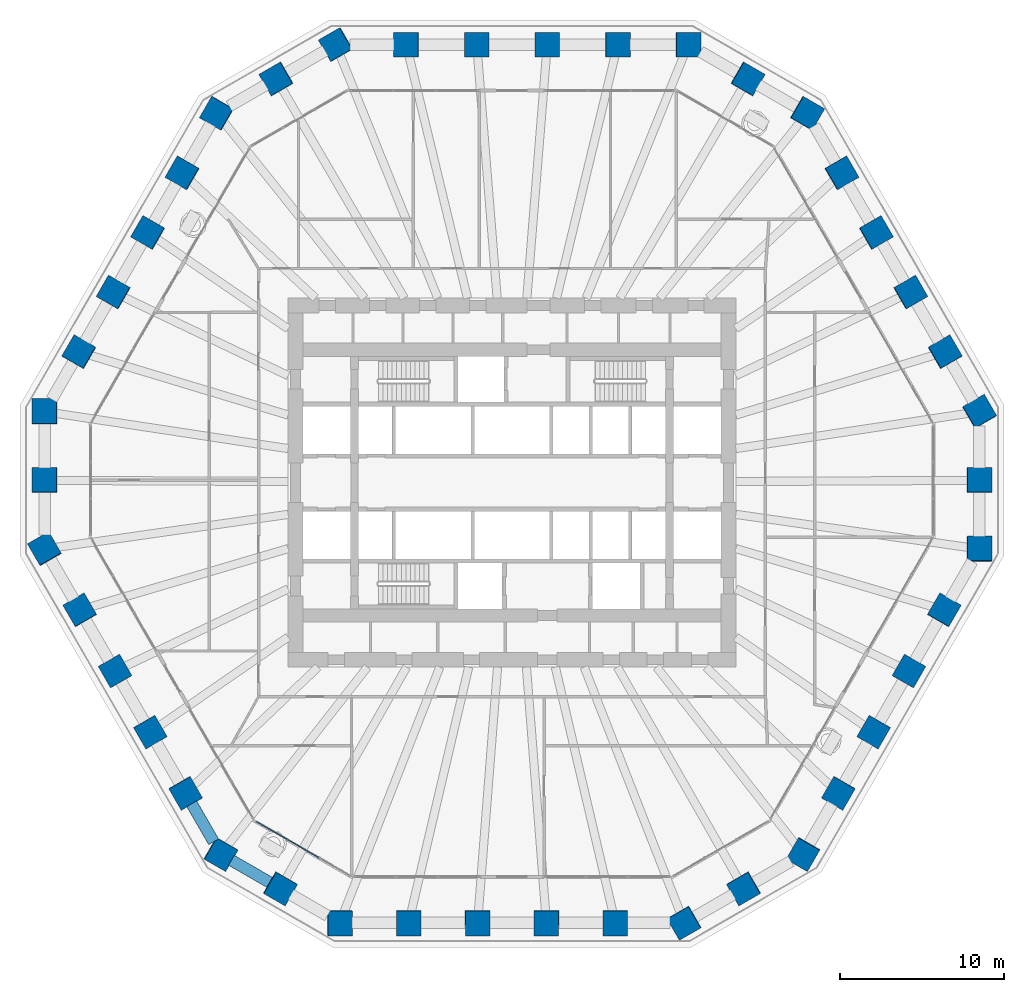
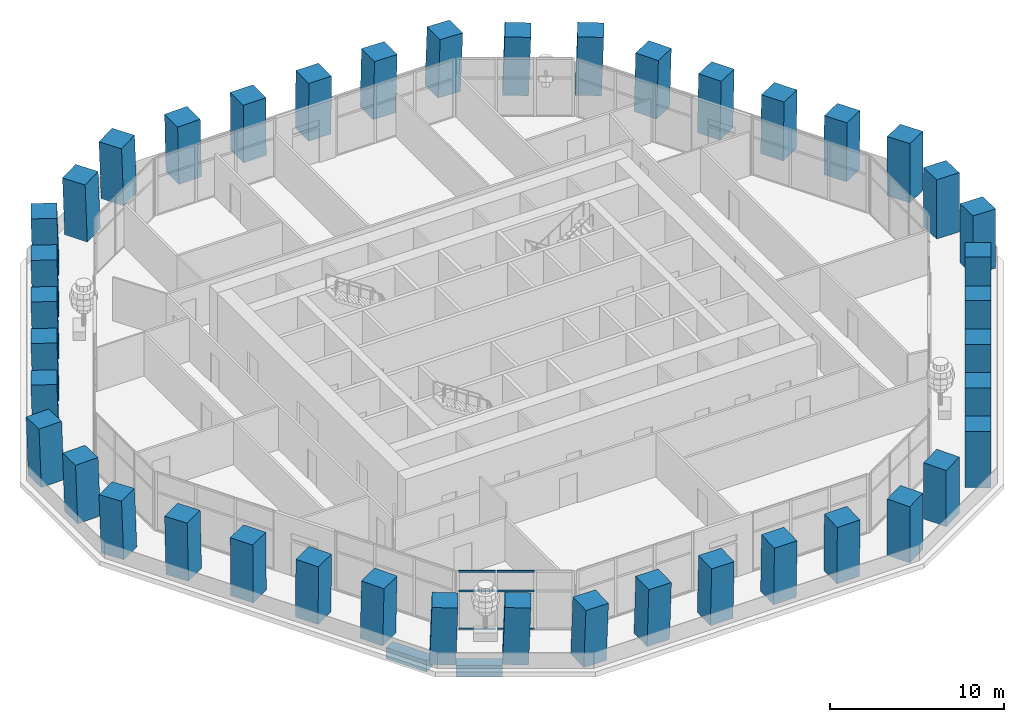
# One storey, part 1 of 18: 42 columns, 6 members, 2 beams, 1 element without a shape of its own.
"""IFC4 building model written with IfcOpenShell, lengths in metres."""

from ifc_helpers import new_model, si_unit, direction, frame, origin, origin_2d, place, context, subcontext, project, spatial, rectangle, extrude, material, material_profile, profile_set, type_object, element, aggregate, save


model = new_model("IFC4")

# Units and contexts
model_context = context("Model", 3, precision=1e-05, world=origin(), true_north=direction((0.0, 1.0)))
body_context = subcontext(model_context, "Body", "Model", "MODEL_VIEW")
ifc_project = project(units=[si_unit("LENGTHUNIT", "METRE"), si_unit("AREAUNIT", "SQUARE_METRE"), si_unit("VOLUMEUNIT", "CUBIC_METRE"), si_unit("PLANEANGLEUNIT", "RADIAN"), si_unit("MASSUNIT", "GRAM", prefix="KILO")], contexts=[model_context])

# Site, building, storey
site_placement = place(None, origin())
site = spatial("IfcSite", under=ifc_project, at=site_placement, CompositionType="ELEMENT")
building_placement = place(site_placement, origin())
building = spatial("IfcBuilding", under=site, at=building_placement, Name="Frailejon Research Tower", CompositionType="ELEMENT")
storey_placement = place(building_placement, frame((0.0, 0.0, 19.0)))
storey = spatial("IfcBuildingStorey", under=building, at=storey_placement, Name="L04", CompositionType="ELEMENT", Elevation=19.0)

# Columns
ifc_material_1 = material(Name="Concrete C70/85", Category="concrete")
ifc_material_profile_1 = material_profile(ifc_material_1, rectangle(XDim=1.5, YDim=1.5, at=origin_2d()), Name="Column 1500")
ifc_profile_set_1 = profile_set([ifc_material_profile_1], Name="Concrete C70/85")
column_type = type_object("IfcColumnType", Name="Column 1500", PredefinedType="COLUMN", material=ifc_profile_set_1)
for number, where, z_axis, x_axis, name in (
    (1, (28.49267578125, -4.04931640625, 0.0), (0.018132630042, 0.031385715123, 0.999342856388), (-0.000564983943, 0.99950734708, -0.031380629795), "Column C01"),
    (2, (28.49267578125, 0.13818359375, 0.0), (0.018132595726, 0.031445896907, 0.999340965106), (-0.001395592918, 0.999505115145, -0.031425739745), "Column C02"),
    (3, (28.49267578125, 4.32568359375, 0.0), (0.018132595726, 0.031445896907, 0.999340965106), (-0.501125927405, 0.865184399459, -0.018131735027), "Column C03"),
):
    element("IfcColumn", number, at=place(storey_placement, frame(where, z_axis=z_axis, x_axis=x_axis)), inside=storey, type_object=column_type, Name=name, PredefinedType="COLUMN", context=body_context, shape_type="SweptSolid", body=[
        extrude(rectangle(XDim=1.5, YDim=1.5, at=origin_2d()), origin(), (0.0, 0.0, 1.0), 4.052734375),
    ])
column_1_placement = place(storey_placement, frame((26.392578125, 7.963134765625, 0.0), z_axis=(0.021749390218, 0.025123256844, 0.9994477405), x_axis=(-0.500502362591, 0.865666942435, -0.01086875412)))
element("IfcColumn", 4, at=column_1_placement, inside=storey, type_object=column_type, Name="Column C04", PredefinedType="COLUMN", context=body_context, shape_type="SweptSolid", body=[
    extrude(rectangle(XDim=1.5, YDim=1.5, at=origin_2d()), origin(), (0.0, 0.0, 1.0), 4.05224609375),
])
for number, where, z_axis, x_axis, name in (
    (5, (24.29248046875, 11.6005859375, 0.0), (0.025425823116, 0.018798238892, 0.999499951843), (-0.498882626684, 0.866662044711, -0.003609023418), "Column C05"),
    (6, (22.192626953125, 15.23779296875, 0.0), (0.029040838643, 0.012592396839, 0.999498905068), (-0.500555205851, 0.86569697754, 0.003637165647), "Column C06"),
):
    element("IfcColumn", number, at=place(storey_placement, frame(where, z_axis=z_axis, x_axis=x_axis)), inside=storey, type_object=column_type, Name=name, PredefinedType="COLUMN", context=body_context, shape_type="SweptSolid", body=[
        extrude(rectangle(XDim=1.5, YDim=1.5, at=origin_2d()), origin(), (0.0, 0.0, 1.0), 4.052001953125),
    ])
column_2_placement = place(storey_placement, frame((20.092529296875, 18.875, 0.0), z_axis=(0.032654174822, 0.006325993277, 0.999446690262), x_axis=(-0.500478631698, 0.865680616164, 0.010872442804)))
element("IfcColumn", 7, at=column_2_placement, inside=storey, type_object=column_type, Name="Column C07", PredefinedType="COLUMN", context=body_context, shape_type="SweptSolid", body=[
    extrude(rectangle(XDim=1.5, YDim=1.5, at=origin_2d()), origin(), (0.0, 0.0, 1.0), 4.05224609375),
])
for number, where, z_axis, x_axis, name in (
    (8, (17.99267578125, 22.512451171875, 0.0), (0.036265236264, 0.0, 0.999342199969), (-0.865313546461, 0.500246354177, 0.031401456084), "Column C08"),
    (9, (14.3662109375, 24.606201171875, 0.0), (0.036205074038, 0.0, 0.999344381389), (-0.865315435316, 0.500246354177, 0.031349362627), "Column C09"),
    (10, (10.739501953125, 26.699951171875, 0.0), (0.036265236264, 0.0, 0.999342199969), (-0.999342199969, 0.0, 0.036265236264), "Column C10"),
):
    element("IfcColumn", number, at=place(storey_placement, frame(where, z_axis=z_axis, x_axis=x_axis)), inside=storey, type_object=column_type, Name=name, PredefinedType="COLUMN", context=body_context, shape_type="SweptSolid", body=[
        extrude(rectangle(XDim=1.5, YDim=1.5, at=origin_2d()), origin(), (0.0, 0.0, 1.0), 4.052734375),
    ])
column_3_placement = place(storey_placement, frame((6.443603515625, 26.699951171875, 0.0), z_axis=(0.021816495333, 0.0, 0.999761991942), x_axis=(-0.999761991942, 0.0, 0.021816495333)))
element("IfcColumn", 11, at=column_3_placement, inside=storey, type_object=column_type, Name="Column C11", PredefinedType="COLUMN", context=body_context, shape_type="SweptSolid", body=[
    extrude(rectangle(XDim=1.5, YDim=1.5, at=origin_2d()), origin(), (0.0, 0.0, 1.0), 4.051025390625),
])
for number, where, z_axis, x_axis, name in (
    (12, (2.14794921875, 26.699951171875, 0.0), (0.007233519834, 0.0, 0.999973837753), (-0.999973837753, 0.0, 0.007233519834), "Column C12"),
    (13, (-2.14794921875, 26.699951171875, 0.0), (-0.007233519834, 0.0, 0.999973837753), (-0.999973837753, 0.0, -0.007233519834), "Column C13"),
):
    element("IfcColumn", number, at=place(storey_placement, frame(where, z_axis=z_axis, x_axis=x_axis)), inside=storey, type_object=column_type, Name=name, PredefinedType="COLUMN", context=body_context, shape_type="SweptSolid", body=[
        extrude(rectangle(XDim=1.5, YDim=1.5, at=origin_2d()), origin(), (0.0, 0.0, 1.0), 4.050048828125),
    ])
column_4_placement = place(storey_placement, frame((-6.443603515625, 26.699951171875, 0.0), z_axis=(-0.021816495333, 0.0, 0.999761991942), x_axis=(-0.999761991942, 0.0, -0.021816495333)))
element("IfcColumn", 14, at=column_4_placement, inside=storey, type_object=column_type, Name="Column C14", PredefinedType="COLUMN", context=body_context, shape_type="SweptSolid", body=[
    extrude(rectangle(XDim=1.5, YDim=1.5, at=origin_2d()), origin(), (0.0, 0.0, 1.0), 4.051025390625),
])
for number, where, z_axis, x_axis, name in (
    (15, (-10.739501953125, 26.699951171875, 0.0), (-0.036265236264, 0.0, 0.999342199969), (-0.865313546461, -0.500246354177, -0.031401456084), "Column C15"),
    (16, (-14.3662109375, 24.606201171875, 0.0), (-0.036205074038, 0.0, 0.999344381389), (-0.865315435316, -0.500246354177, -0.031349362627), "Column C16"),
    (17, (-17.99267578125, 22.512451171875, 0.0), (-0.036265236264, 0.0, 0.999342199969), (-0.499424867419, -0.866167613071, -0.018123682572), "Column C17"),
):
    element("IfcColumn", number, at=place(storey_placement, frame(where, z_axis=z_axis, x_axis=x_axis)), inside=storey, type_object=column_type, Name=name, PredefinedType="COLUMN", context=body_context, shape_type="SweptSolid", body=[
        extrude(rectangle(XDim=1.5, YDim=1.5, at=origin_2d()), origin(), (0.0, 0.0, 1.0), 4.052734375),
    ])
column_5_placement = place(storey_placement, frame((-20.092529296875, 18.875, 0.0), z_axis=(-0.032654174822, 0.006325993277, 0.999446690262), x_axis=(-0.500478631698, -0.865680616164, -0.010872442804)))
element("IfcColumn", 18, at=column_5_placement, inside=storey, type_object=column_type, Name="Column C18", PredefinedType="COLUMN", context=body_context, shape_type="SweptSolid", body=[
    extrude(rectangle(XDim=1.5, YDim=1.5, at=origin_2d()), origin(), (0.0, 0.0, 1.0), 4.05224609375),
])
for number, where, z_axis, x_axis, name in (
    (19, (-22.192626953125, 15.23779296875, 0.0), (-0.029040838643, 0.012592396839, 0.999498905068), (-0.500555205851, -0.86569697754, -0.003637165647), "Column C19"),
    (20, (-24.29248046875, 11.6005859375, 0.0), (-0.025425823116, 0.018798238892, 0.999499951843), (-0.498882626684, -0.866662044711, 0.003609023418), "Column C20"),
):
    element("IfcColumn", number, at=place(storey_placement, frame(where, z_axis=z_axis, x_axis=x_axis)), inside=storey, type_object=column_type, Name=name, PredefinedType="COLUMN", context=body_context, shape_type="SweptSolid", body=[
        extrude(rectangle(XDim=1.5, YDim=1.5, at=origin_2d()), origin(), (0.0, 0.0, 1.0), 4.052001953125),
    ])
column_6_placement = place(storey_placement, frame((-26.392578125, 7.963134765625, 0.0), z_axis=(-0.021749390218, 0.025123256844, 0.9994477405), x_axis=(-0.500502362591, -0.865666942435, 0.01086875412)))
element("IfcColumn", 21, at=column_6_placement, inside=storey, type_object=column_type, Name="Column C21", PredefinedType="COLUMN", context=body_context, shape_type="SweptSolid", body=[
    extrude(rectangle(XDim=1.5, YDim=1.5, at=origin_2d()), origin(), (0.0, 0.0, 1.0), 4.05224609375),
])
for number, where, z_axis, x_axis, name in (
    (22, (-28.49267578125, 4.32568359375, 0.0), (-0.018132595726, 0.031445896907, 0.999340965106), (-0.001395592918, -0.999505115145, 0.031425739745), "Column C22"),
    (23, (-28.49267578125, 0.13818359375, 0.0), (-0.018132595726, 0.031445896907, 0.999340965106), (-0.001395592918, -0.999505115145, 0.031425739745), "Column C23"),
    (24, (-28.49267578125, -4.04931640625, 0.0), (-0.018132630042, 0.031385715123, 0.999342856388), (0.499674818932, -0.865454343132, 0.036247141676), "Column C24"),
):
    element("IfcColumn", number, at=place(storey_placement, frame(where, z_axis=z_axis, x_axis=x_axis)), inside=storey, type_object=column_type, Name=name, PredefinedType="COLUMN", context=body_context, shape_type="SweptSolid", body=[
        extrude(rectangle(XDim=1.5, YDim=1.5, at=origin_2d()), origin(), (0.0, 0.0, 1.0), 4.052734375),
    ])
column_7_placement = place(storey_placement, frame((-26.3447265625, -7.76953125, 0.0), z_axis=(-0.010908253887, 0.018863444567, 0.99976256204), x_axis=(0.500638377412, -0.865382225109, 0.021790354016)))
element("IfcColumn", 25, at=column_7_placement, inside=storey, type_object=column_type, Name="Column C25", PredefinedType="COLUMN", context=body_context, shape_type="SweptSolid", body=[
    extrude(rectangle(XDim=1.5, YDim=1.5, at=origin_2d()), origin(), (0.0, 0.0, 1.0), 4.051025390625),
])
for number, where, z_axis, x_axis, name in (
    (26, (-24.19677734375, -11.489990234375, 0.0), (-0.003616758439, 0.006329327268, 0.999973428984), (0.495951477881, -0.868319636001, 0.00728980954), "Column C26"),
    (27, (-22.048828125, -15.210205078125, 0.0), (0.003616759812, -0.006269050341, 0.999973808685), (0.501883236828, -0.864905101718, -0.007237514304), "Column C27"),
):
    element("IfcColumn", number, at=place(storey_placement, frame(where, z_axis=z_axis, x_axis=x_axis)), inside=storey, type_object=column_type, Name=name, PredefinedType="COLUMN", context=body_context, shape_type="SweptSolid", body=[
        extrude(rectangle(XDim=1.5, YDim=1.5, at=origin_2d()), origin(), (0.0, 0.0, 1.0), 4.050048828125),
    ])
column_8_placement = place(storey_placement, frame((-19.90087890625, -18.930419921875, 0.0), z_axis=(0.010847994403, -0.018863456933, 0.999763217472), x_axis=(0.498562459177, -0.866580616749, -0.02176026136)))
element("IfcColumn", 28, at=column_8_placement, inside=storey, type_object=column_type, Name="Column C28", PredefinedType="COLUMN", context=body_context, shape_type="SweptSolid", body=[
    extrude(rectangle(XDim=1.5, YDim=1.5, at=origin_2d()), origin(), (0.0, 0.0, 1.0), 4.051025390625),
])
for number, where, z_axis, x_axis, name in (
    (29, (-17.753173828125, -22.650634765625, 0.0), (0.018132595726, -0.031445896907, 0.999340965106), (0.865740985748, -0.499504693256, -0.031426215359), "Column C29"),
    (30, (-14.126708984375, -24.744384765625, 0.0), (0.018192817002, -0.0314458625, 0.999339871686), (0.866186210709, -0.498729969757, -0.031462130318), "Column C30"),
    (31, (-10.5, -26.83837890625, 0.0), (0.018132630042, -0.031385715123, 0.999342856388), (0.999835440934, 0.001115627466, -0.018106529978), "Column C31"),
):
    element("IfcColumn", number, at=place(storey_placement, frame(where, z_axis=z_axis, x_axis=x_axis)), inside=storey, type_object=column_type, Name=name, PredefinedType="COLUMN", context=body_context, shape_type="SweptSolid", body=[
        extrude(rectangle(XDim=1.5, YDim=1.5, at=origin_2d()), origin(), (0.0, 0.0, 1.0), 4.052734375),
    ])
column_9_placement = place(storey_placement, frame((-6.300048828125, -26.83837890625, 0.0), z_axis=(0.010904819076, -0.031389009606, 0.999447755011), x_axis=(0.999940093801, 0.001287275269, -0.010869762286)))
element("IfcColumn", 32, at=column_9_placement, inside=storey, type_object=column_type, Name="Column C32", PredefinedType="COLUMN", context=body_context, shape_type="SweptSolid", body=[
    extrude(rectangle(XDim=1.5, YDim=1.5, at=origin_2d()), origin(), (0.0, 0.0, 1.0), 4.05224609375),
])
for number, where, z_axis, x_axis, name in (
    (33, (-2.10009765625, -26.83837890625, 0.0), (0.003675298481, -0.031390664074, 0.999500434412), (0.999992304508, 0.001486966471, -0.003630406959), "Column C33"),
    (34, (2.10009765625, -26.83837890625, 0.0), (-0.003675298481, -0.031390664074, 0.999500434412), (0.999992304508, -0.001486966471, 0.003630406959), "Column C34"),
):
    element("IfcColumn", number, at=place(storey_placement, frame(where, z_axis=z_axis, x_axis=x_axis)), inside=storey, type_object=column_type, Name=name, PredefinedType="COLUMN", context=body_context, shape_type="SweptSolid", body=[
        extrude(rectangle(XDim=1.5, YDim=1.5, at=origin_2d()), origin(), (0.0, 0.0, 1.0), 4.052001953125),
    ])
column_10_placement = place(storey_placement, frame((6.300048828125, -26.83837890625, 0.0), z_axis=(-0.010904819076, -0.031389009606, 0.999447755011), x_axis=(0.999940093801, -0.001287275269, 0.010869762286)))
element("IfcColumn", 35, at=column_10_placement, inside=storey, type_object=column_type, Name="Column C35", PredefinedType="COLUMN", context=body_context, shape_type="SweptSolid", body=[
    extrude(rectangle(XDim=1.5, YDim=1.5, at=origin_2d()), origin(), (0.0, 0.0, 1.0), 4.05224609375),
])
for number, where, z_axis, x_axis, name in (
    (36, (10.5, -26.83837890625, 0.0), (-0.018132630042, -0.031385715123, 0.999342856388), (0.866156195426, 0.498787200508, 0.031381104725), "Column C36"),
    (37, (14.126708984375, -24.744384765625, 0.0), (-0.018192817002, -0.0314458625, 0.999339871686), (0.866186210709, 0.498729969757, 0.031462130318), "Column C37"),
    (38, (17.753173828125, -22.650634765625, 0.0), (-0.018132595726, -0.031445896907, 0.999340965106), (0.499425428362, 0.865596098728, 0.036299247542), "Column C38"),
):
    element("IfcColumn", number, at=place(storey_placement, frame(where, z_axis=z_axis, x_axis=x_axis)), inside=storey, type_object=column_type, Name=name, PredefinedType="COLUMN", context=body_context, shape_type="SweptSolid", body=[
        extrude(rectangle(XDim=1.5, YDim=1.5, at=origin_2d()), origin(), (0.0, 0.0, 1.0), 4.052734375),
    ])
column_11_placement = place(storey_placement, frame((19.90087890625, -18.930419921875, 0.0), z_axis=(-0.010847994403, -0.018863456933, 0.999763217472), x_axis=(0.498562459177, 0.866580616749, 0.02176026136)))
element("IfcColumn", 39, at=column_11_placement, inside=storey, type_object=column_type, Name="Column C39", PredefinedType="COLUMN", context=body_context, shape_type="SweptSolid", body=[
    extrude(rectangle(XDim=1.5, YDim=1.5, at=origin_2d()), origin(), (0.0, 0.0, 1.0), 4.051025390625),
])
for number, where, z_axis, x_axis, name in (
    (40, (22.048828125, -15.210205078125, 0.0), (-0.003616759812, -0.006269050341, 0.999973808685), (0.501883236828, 0.864905101718, 0.007237514304), "Column C40"),
    (41, (24.19677734375, -11.489990234375, 0.0), (0.003616758439, 0.006329327268, 0.999973428984), (0.495951477881, 0.868319636001, -0.00728980954), "Column C41"),
):
    element("IfcColumn", number, at=place(storey_placement, frame(where, z_axis=z_axis, x_axis=x_axis)), inside=storey, type_object=column_type, Name=name, PredefinedType="COLUMN", context=body_context, shape_type="SweptSolid", body=[
        extrude(rectangle(XDim=1.5, YDim=1.5, at=origin_2d()), origin(), (0.0, 0.0, 1.0), 4.050048828125),
    ])
column_12_placement = place(storey_placement, frame((26.3447265625, -7.76953125, 0.0), z_axis=(0.010908253887, 0.018863444567, 0.99976256204), x_axis=(0.500638377412, 0.865382225109, -0.021790354016)))
element("IfcColumn", 42, at=column_12_placement, inside=storey, type_object=column_type, Name="Column C42", PredefinedType="COLUMN", context=body_context, shape_type="SweptSolid", body=[
    extrude(rectangle(XDim=1.5, YDim=1.5, at=origin_2d()), origin(), (0.0, 0.0, 1.0), 4.051025390625),
])

# Curtain wall, members
ifc_material_2 = material(Name="Aluminium curtain wall", Category="aluminium")
curtain_wall_type = type_object("IfcCurtainWallType", Name="Base zone unitised curtain wall system", PredefinedType="NOTDEFINED", material=ifc_material_2)
curtain_wall_placement = place(storey_placement, origin())
curtain_wall = element("IfcCurtainWall", 43, at=curtain_wall_placement, inside=storey, type_object=curtain_wall_type, Name="Curtain wall L04", PredefinedType="NOTDEFINED")
ifc_material_3 = material(Name="Aluminium extrusion", Category="aluminium")
ifc_material_profile_2 = material_profile(ifc_material_3, rectangle(XDim=0.06005859375, YDim=0.1201171875, at=origin_2d()), Name="Base zone unitised curtain wall transom 60x120")
ifc_profile_set_2 = profile_set([ifc_material_profile_2], Name="Aluminium extrusion")
member_type = type_object("IfcMemberType", Name="Base zone unitised curtain wall transom 60x120", PredefinedType="USERDEFINED", material=ifc_profile_set_2)
member_1_placement = place(storey_placement, frame((-15.56494140625, -20.680908203125, 0.030029296875), z_axis=(0.865989432579, -0.500062298781, 0.0), x_axis=(0.500062298781, 0.865989432579, 0.0)))
member_1 = element("IfcMember", 44, at=member_1_placement, type_object=member_type, Name="CW3-075 transom 1.1", ObjectType="TRANSOM", PredefinedType="USERDEFINED", context=body_context, shape_type="SweptSolid", body=[
    extrude(rectangle(XDim=0.06005859375, YDim=0.1201171875, at=origin_2d()), origin(), (0.0, 0.0, 1.0), 2.135009765625),
])
member_2_placement = place(storey_placement, frame((-15.56494140625, -20.680908203125, 2.699951171875), z_axis=(0.865989432579, -0.500062298781, 0.0), x_axis=(0.500062298781, 0.865989432579, 0.0)))
member_2 = element("IfcMember", 45, at=member_2_placement, type_object=member_type, Name="CW3-075 transom 1.2", ObjectType="TRANSOM", PredefinedType="USERDEFINED", context=body_context, shape_type="SweptSolid", body=[
    extrude(rectangle(XDim=0.06005859375, YDim=0.1201171875, at=origin_2d()), origin(), (0.0, 0.0, 1.0), 2.135009765625),
])
member_3_placement = place(storey_placement, frame((-15.56494140625, -20.680908203125, 4.070068359375), z_axis=(0.865989432579, -0.500062298781, 0.0), x_axis=(0.500062298781, 0.865989432579, 0.0)))
member_3 = element("IfcMember", 46, at=member_3_placement, type_object=member_type, Name="CW3-075 transom 1.3", ObjectType="TRANSOM", PredefinedType="USERDEFINED", context=body_context, shape_type="SweptSolid", body=[
    extrude(rectangle(XDim=0.06005859375, YDim=0.1201171875, at=origin_2d()), origin(), (0.0, 0.0, 1.0), 2.135009765625),
])
member_4_placement = place(storey_placement, frame((-13.6640625, -21.7783203125, 0.030029296875), z_axis=(0.866027848477, -0.499995765644, 0.0), x_axis=(0.499995765644, 0.866027848477, 0.0)))
member_4 = element("IfcMember", 47, at=member_4_placement, type_object=member_type, Name="CW3-075 transom 2.1", ObjectType="TRANSOM", PredefinedType="USERDEFINED", context=body_context, shape_type="SweptSolid", body=[
    extrude(rectangle(XDim=0.06005859375, YDim=0.1201171875, at=origin_2d()), origin(), (0.0, 0.0, 1.0), 2.1650390625),
])
member_5_placement = place(storey_placement, frame((-13.6640625, -21.7783203125, 2.699951171875), z_axis=(0.866027848477, -0.499995765644, 0.0), x_axis=(0.499995765644, 0.866027848477, 0.0)))
member_5 = element("IfcMember", 48, at=member_5_placement, type_object=member_type, Name="CW3-075 transom 2.2", ObjectType="TRANSOM", PredefinedType="USERDEFINED", context=body_context, shape_type="SweptSolid", body=[
    extrude(rectangle(XDim=0.06005859375, YDim=0.1201171875, at=origin_2d()), origin(), (0.0, 0.0, 1.0), 2.1650390625),
])
member_6_placement = place(storey_placement, frame((-13.6640625, -21.7783203125, 4.070068359375), z_axis=(0.866027848477, -0.499995765644, 0.0), x_axis=(0.499995765644, 0.866027848477, 0.0)))
member_6 = element("IfcMember", 49, at=member_6_placement, type_object=member_type, Name="CW3-075 transom 2.3", ObjectType="TRANSOM", PredefinedType="USERDEFINED", context=body_context, shape_type="SweptSolid", body=[
    extrude(rectangle(XDim=0.06005859375, YDim=0.1201171875, at=origin_2d()), origin(), (0.0, 0.0, 1.0), 2.1650390625),
])
aggregate(curtain_wall, [member_1, member_2, member_3, member_4, member_5, member_6])

# Beams
ifc_material_4 = material(Name="Concrete C60/75", Category="concrete")
ifc_material_profile_3 = material_profile(ifc_material_4, rectangle(XDim=0.699951171875, YDim=0.800048828125, at=origin_2d()), Name="Spandrel 700x800")
ifc_profile_set_3 = profile_set([ifc_material_profile_3], Name="Concrete C60/75")
beam_type = type_object("IfcBeamType", Name="Spandrel 700x800", PredefinedType="BEAM", material=ifc_profile_set_3)
beam_1_placement = place(storey_placement, frame((-19.52587890625, -19.579833984375, -0.75), z_axis=(0.499980071345, -0.866036909293, 0.0), x_axis=(0.866036909293, 0.499980071345, 0.0)))
element("IfcBeam", 50, at=beam_1_placement, inside=storey, type_object=beam_type, Name="Spandrel 700x800", PredefinedType="BEAM", context=body_context, shape_type="SweptSolid", body=[
    extrude(rectangle(XDim=0.699951171875, YDim=0.800048828125, at=origin_2d()), origin(), (0.0, 0.0, 1.0), 2.6796875),
])
beam_2_placement = place(storey_placement, frame((-17.103515625, -23.025634765625, -0.75), z_axis=(0.866020687897, -0.500008168067, 0.0), x_axis=(0.500008168067, 0.866020687897, 0.0)))
element("IfcBeam", 51, at=beam_2_placement, inside=storey, type_object=beam_type, Name="Spandrel 700x800", PredefinedType="BEAM", context=body_context, shape_type="SweptSolid", body=[
    extrude(rectangle(XDim=0.699951171875, YDim=0.800048828125, at=origin_2d()), origin(), (0.0, 0.0, 1.0), 2.6875),
])

save(model, "model.ifc")
